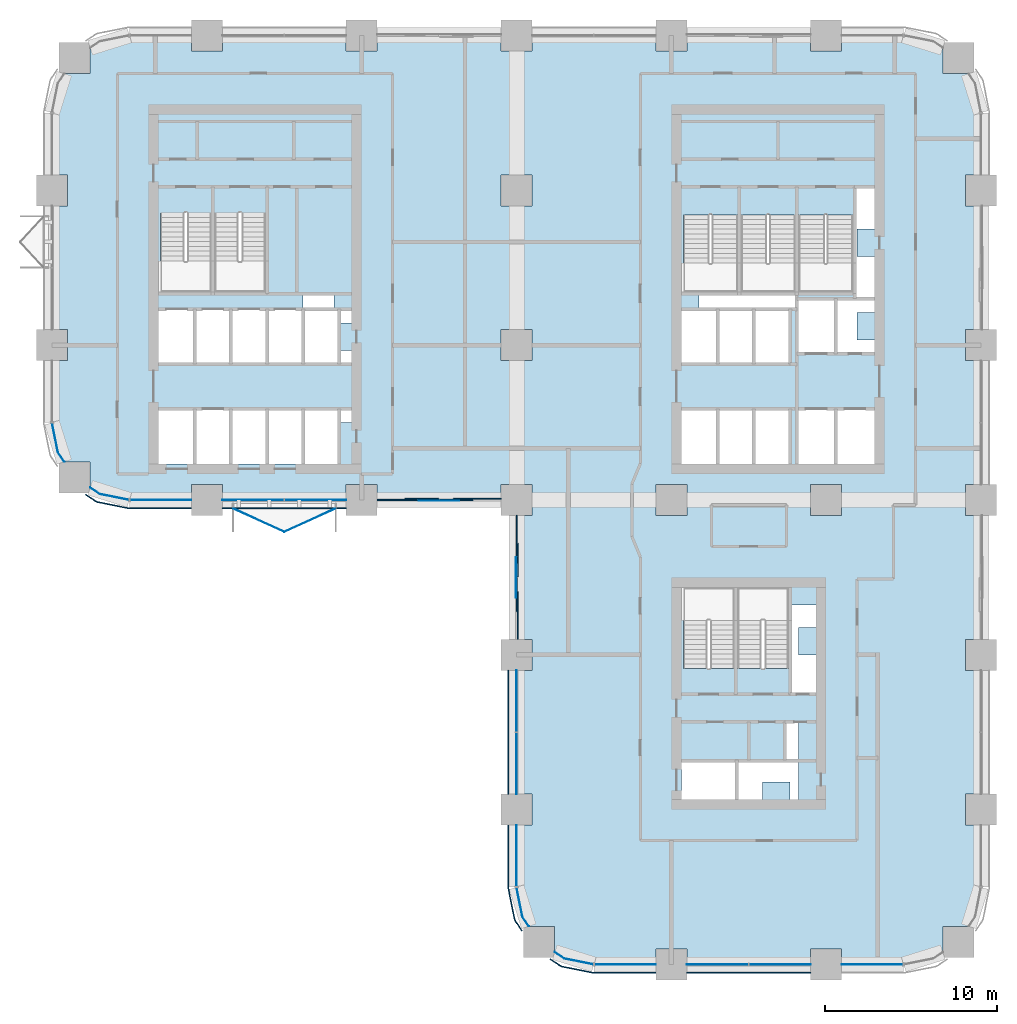
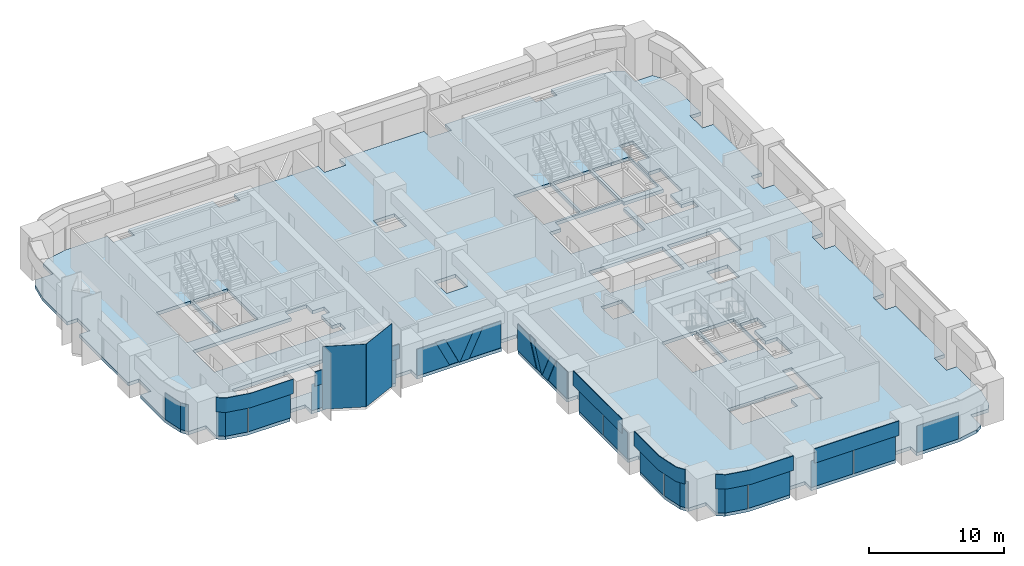
# One storey, part 9 of 18: 32 plates, 1 slab, 10 elements without a shape of their own.
"""IFC4 building model written with IfcOpenShell, lengths in metres."""

from ifc_helpers import new_model, si_unit, direction, frame, origin, origin_2d, place, context, subcontext, project, spatial, polyline, rectangle, outline, extrude, material, layer, layer_set, type_object, element, aggregate, save


model = new_model("IFC4")

# Units and contexts
model_context = context("Model", 3, precision=1e-05, world=origin(), true_north=direction((0.0, 1.0)))
body_context = subcontext(model_context, "Body", "Model", "MODEL_VIEW")
ifc_project = project(units=[si_unit("LENGTHUNIT", "METRE"), si_unit("AREAUNIT", "SQUARE_METRE"), si_unit("VOLUMEUNIT", "CUBIC_METRE"), si_unit("PLANEANGLEUNIT", "RADIAN"), si_unit("MASSUNIT", "GRAM", prefix="KILO")], contexts=[model_context])

# Site, building, storey
site_placement = place(None, origin())
site = spatial("IfcSite", under=ifc_project, at=site_placement, CompositionType="ELEMENT")
building_placement = place(site_placement, origin())
building = spatial("IfcBuilding", under=site, at=building_placement, Name="Tessera Arch", CompositionType="ELEMENT")
storey_placement = place(building_placement, frame((0.0, 0.0, 115.800048828125)))
storey = spatial("IfcBuildingStorey", under=building, at=storey_placement, Name="L27", CompositionType="ELEMENT", Elevation=115.800048828125)

# Curtain wall, plates
ifc_material_1 = material(Name="CW1 curtain wall")
curtain_wall_type_1 = type_object("IfcCurtainWallType", Name="CW1 curtain wall", PredefinedType="NOTDEFINED", material=ifc_material_1)
curtain_wall_1_placement = place(storey_placement, origin())
curtain_wall_1 = element("IfcCurtainWall", 1, at=curtain_wall_1_placement, inside=storey, type_object=curtain_wall_type_1, Name="CW1 curtain wall S27.0/1 L27", PredefinedType="NOTDEFINED")
ifc_material_2 = material(Name="Clear low-e glass", Category="glass")
ifc_material_3 = material(Name="Clear low-e glass", Category="glass")
ifc_layer_1 = layer(ifc_material_3, 0.028076171875)
ifc_layer_set_1 = layer_set([ifc_layer_1], Name="CW1 glass panel")
plate_type_1 = type_object("IfcPlateType", Name="CW1 glass panel", PredefinedType="CURTAIN_PANEL", material=ifc_layer_set_1)
plate_1_placement = place(storey_placement, frame((11.68505859375, 27.0, 0.0), z_axis=(0.0, 0.0, 1.0), x_axis=(1.0, 0.0, 0.0)))
plate_1 = element("IfcPlate", 2, at=plate_1_placement, type_object=plate_type_1, material=ifc_material_2, Name="CW1 glass panel S27.0/1 1.1.1", PredefinedType="CURTAIN_PANEL", context=body_context, shape_type="SweptSolid", body=[
    extrude(rectangle(XDim=3.570068359375, YDim=0.028076171875, at=origin_2d()), origin(), (0.0, 0.0, 1.0), 2.39990234375),
])
plate_2_placement = place(storey_placement, frame((15.31494140625, 27.0, 0.0), z_axis=(0.0, 0.0, 1.0), x_axis=(1.0, 0.0, 0.0)))
plate_2 = element("IfcPlate", 3, at=plate_2_placement, type_object=plate_type_1, material=ifc_material_2, Name="CW1 glass panel S27.0/1 1.2.1", PredefinedType="CURTAIN_PANEL", context=body_context, shape_type="SweptSolid", body=[
    extrude(rectangle(XDim=3.570068359375, YDim=0.028076171875, at=origin_2d()), origin(), (0.0, 0.0, 1.0), 2.39990234375),
])

curtain_wall_2_placement = place(storey_placement, origin())
curtain_wall_2 = element("IfcCurtainWall", 4, at=curtain_wall_2_placement, inside=storey, type_object=curtain_wall_type_1, Name="CW1 curtain wall W27.0/1 L27", PredefinedType="NOTDEFINED")
plate_3_placement = place(storey_placement, frame((27.0, 15.31494140625, 0.0), z_axis=(0.0, 0.0, 1.0), x_axis=(0.0, -1.0, 0.0)))
plate_3 = element("IfcPlate", 5, at=plate_3_placement, type_object=plate_type_1, material=ifc_material_2, Name="CW1 glass panel W27.0/1 1.1.1", PredefinedType="CURTAIN_PANEL", context=body_context, shape_type="SweptSolid", body=[
    extrude(rectangle(XDim=3.570068359375, YDim=0.028076171875, at=origin_2d()), origin(), (0.0, 0.0, 1.0), 2.39990234375),
])
plate_4_placement = place(storey_placement, frame((27.0, 11.68505859375, 0.0), z_axis=(0.0, 0.0, 1.0), x_axis=(0.0, -1.0, 0.0)))
plate_4 = element("IfcPlate", 6, at=plate_4_placement, type_object=plate_type_1, material=ifc_material_2, Name="CW1 glass panel W27.0/1 1.2.1", PredefinedType="CURTAIN_PANEL", context=body_context, shape_type="SweptSolid", body=[
    extrude(rectangle(XDim=3.570068359375, YDim=0.028076171875, at=origin_2d()), origin(), (0.0, 0.0, 1.0), 2.39990234375),
])

curtain_wall_3_placement = place(storey_placement, origin())
curtain_wall_3 = element("IfcCurtainWall", 7, at=curtain_wall_3_placement, inside=storey, type_object=curtain_wall_type_1, Name="CW1 curtain wall S0.27/1 L27", PredefinedType="NOTDEFINED")
plate_5_placement = place(storey_placement, frame((38.68505859375, 0.0, 0.0), z_axis=(0.0, 0.0, 1.0), x_axis=(1.0, 0.0, 0.0)))
plate_5 = element("IfcPlate", 8, at=plate_5_placement, type_object=plate_type_1, material=ifc_material_2, Name="CW1 glass panel S0.27/1 1.1.1", PredefinedType="CURTAIN_PANEL", context=body_context, shape_type="SweptSolid", body=[
    extrude(rectangle(XDim=3.570068359375, YDim=0.028076171875, at=origin_2d()), origin(), (0.0, 0.0, 1.0), 2.39990234375),
])
plate_6_placement = place(storey_placement, frame((42.31494140625, 0.0, 0.0), z_axis=(0.0, 0.0, 1.0), x_axis=(1.0, 0.0, 0.0)))
plate_6 = element("IfcPlate", 9, at=plate_6_placement, type_object=plate_type_1, material=ifc_material_2, Name="CW1 glass panel S0.27/1 1.2.1", PredefinedType="CURTAIN_PANEL", context=body_context, shape_type="SweptSolid", body=[
    extrude(rectangle(XDim=3.570068359375, YDim=0.028076171875, at=origin_2d()), origin(), (0.0, 0.0, 1.0), 2.39990234375),
])

# Plate
ifc_material_4 = material(Name="Pale anodised aluminium panel", Category="aluminium")
ifc_layer_2 = layer(ifc_material_4, 0.06005859375)
ifc_layer_set_2 = layer_set([ifc_layer_2], Name="CW1 spandrel panel")
plate_type_2 = type_object("IfcPlateType", Name="CW1 spandrel panel", PredefinedType="CURTAIN_PANEL", material=ifc_layer_set_2)
plate_7_placement = place(storey_placement, frame((13.5, 26.52001953125, 2.5), z_axis=(0.0, 0.0, 1.0), x_axis=(1.0, 0.0, 0.0)))
plate_7 = element("IfcPlate", 10, at=plate_7_placement, type_object=plate_type_2, Name="CW1 spandrel panel S27.0/1", PredefinedType="CURTAIN_PANEL", context=body_context, shape_type="SweptSolid", body=[
    extrude(rectangle(XDim=7.199951171875, YDim=0.06005859375, at=origin_2d()), origin(), (0.0, 0.0, 1.0), 1.300048828125),
])

aggregate(curtain_wall_1, [plate_1, plate_2, plate_7])

plate_8_placement = place(storey_placement, frame((26.52001953125, 13.5, 2.5), z_axis=(0.0, 0.0, 1.0), x_axis=(0.0, -1.0, 0.0)))
plate_8 = element("IfcPlate", 11, at=plate_8_placement, type_object=plate_type_2, Name="CW1 spandrel panel W27.0/1", PredefinedType="CURTAIN_PANEL", context=body_context, shape_type="SweptSolid", body=[
    extrude(rectangle(XDim=7.199951171875, YDim=0.06005859375, at=origin_2d()), origin(), (0.0, 0.0, 1.0), 1.300048828125),
])

aggregate(curtain_wall_2, [plate_3, plate_4, plate_8])

plate_9_placement = place(storey_placement, frame((40.5, -0.47998046875, 2.5), z_axis=(0.0, 0.0, 1.0), x_axis=(1.0, 0.0, 0.0)))
plate_9 = element("IfcPlate", 12, at=plate_9_placement, type_object=plate_type_2, Name="CW1 spandrel panel S0.27/1", PredefinedType="CURTAIN_PANEL", context=body_context, shape_type="SweptSolid", body=[
    extrude(rectangle(XDim=7.199951171875, YDim=0.06005859375, at=origin_2d()), origin(), (0.0, 0.0, 1.0), 1.300048828125),
])

aggregate(curtain_wall_3, [plate_5, plate_6, plate_9])

# Curtain wall, plate
ifc_material_5 = material(Name="CW2 curtain wall")
curtain_wall_type_2 = type_object("IfcCurtainWallType", Name="CW2 curtain wall", PredefinedType="NOTDEFINED", material=ifc_material_5)
curtain_wall_4_placement = place(storey_placement, origin())
curtain_wall_4 = element("IfcCurtainWall", 13, at=curtain_wall_4_placement, inside=storey, type_object=curtain_wall_type_2, Name="CW2 curtain wall W0.27/2 L27", PredefinedType="NOTDEFINED")
ifc_material_6 = material(Name="Clear low-e glass", Category="glass")
ifc_layer_3 = layer(ifc_material_6, 0.028076171875)
ifc_layer_set_3 = layer_set([ifc_layer_3], Name="CW2 glass panel")
plate_type_3 = type_object("IfcPlateType", Name="CW2 glass panel", PredefinedType="CURTAIN_PANEL", material=ifc_layer_set_3)
plate_10_placement = place(storey_placement, origin())
plate_10 = element("IfcPlate", 14, at=plate_10_placement, type_object=plate_type_3, material=ifc_material_2, Name="CW2 curved glass panel W0.27/2 2.1", PredefinedType="CURTAIN_PANEL", context=body_context, shape_type="SweptSolid", body=[
    extrude(outline(polyline([(0.355712890625, 29.783447265625), (0.021484375, 31.46337890625), (-0.005859375, 31.4580078125), (0.329345703125, 29.7724609375), (0.705078125, 29.210205078125), (0.728271484375, 29.225830078125), (0.355712890625, 29.783447265625)])), origin(), (0.0, 0.0, 1.0), 2.39990234375),
])
aggregate(curtain_wall_4, [plate_10])

# Curtain wall, plates
curtain_wall_5_placement = place(storey_placement, origin())
curtain_wall_5 = element("IfcCurtainWall", 15, at=curtain_wall_5_placement, inside=storey, type_object=curtain_wall_type_2, Name="CW2 curtain wall S27.0/0 L27", PredefinedType="NOTDEFINED")
plate_11_placement = place(storey_placement, frame((6.320068359375, 27.0, 0.0), z_axis=(0.0, 0.0, 1.0), x_axis=(1.0, 0.0, 0.0)))
plate_11 = element("IfcPlate", 16, at=plate_11_placement, type_object=plate_type_3, material=ifc_material_2, Name="CW2 glass panel S27.0/0 1.1", PredefinedType="CURTAIN_PANEL", context=body_context, shape_type="SweptSolid", body=[
    extrude(rectangle(XDim=3.56005859375, YDim=0.028076171875, at=origin_2d()), origin(), (0.0, 0.0, 1.0), 2.39990234375),
])
plate_12_placement = place(storey_placement, origin())
plate_12 = element("IfcPlate", 17, at=plate_12_placement, type_object=plate_type_3, material=ifc_material_2, Name="CW2 curved glass panel S27.0/0 2.1", PredefinedType="CURTAIN_PANEL", context=body_context, shape_type="SweptSolid", body=[
    extrude(outline(polyline([(2.783447265625, 27.355712890625), (2.225830078125, 27.728271484375), (2.210205078125, 27.705078125), (2.7724609375, 27.329345703125), (4.4580078125, 26.994140625), (4.46337890625, 27.021484375), (2.783447265625, 27.355712890625)])), origin(), (0.0, 0.0, 1.0), 2.39990234375),
])

curtain_wall_6_placement = place(storey_placement, origin())
curtain_wall_6 = element("IfcCurtainWall", 18, at=curtain_wall_6_placement, inside=storey, type_object=curtain_wall_type_2, Name="CW2 curtain wall W27.0/2 L27", PredefinedType="NOTDEFINED")
plate_13_placement = place(storey_placement, frame((27.0, 6.320068359375, 0.0), z_axis=(0.0, 0.0, 1.0), x_axis=(0.0, -1.0, 0.0)))
plate_13 = element("IfcPlate", 19, at=plate_13_placement, type_object=plate_type_3, material=ifc_material_2, Name="CW2 glass panel W27.0/2 1.1", PredefinedType="CURTAIN_PANEL", context=body_context, shape_type="SweptSolid", body=[
    extrude(rectangle(XDim=3.56005859375, YDim=0.028076171875, at=origin_2d()), origin(), (0.0, 0.0, 1.0), 2.39990234375),
])
plate_14_placement = place(storey_placement, origin())
plate_14 = element("IfcPlate", 20, at=plate_14_placement, type_object=plate_type_3, material=ifc_material_2, Name="CW2 curved glass panel W27.0/2 2.1", PredefinedType="CURTAIN_PANEL", context=body_context, shape_type="SweptSolid", body=[
    extrude(outline(polyline([(27.355712890625, 2.783447265625), (27.021484375, 4.46337890625), (26.994140625, 4.4580078125), (27.329345703125, 2.7724609375), (27.705078125, 2.210205078125), (27.728271484375, 2.225830078125), (27.355712890625, 2.783447265625)])), origin(), (0.0, 0.0, 1.0), 2.39990234375),
])

curtain_wall_7_placement = place(storey_placement, origin())
curtain_wall_7 = element("IfcCurtainWall", 21, at=curtain_wall_7_placement, inside=storey, type_object=curtain_wall_type_2, Name="CW2 curtain wall S0.27/0 L27", PredefinedType="NOTDEFINED")
plate_15_placement = place(storey_placement, frame((33.320068359375, 0.0, 0.0), z_axis=(0.0, 0.0, 1.0), x_axis=(1.0, 0.0, 0.0)))
plate_15 = element("IfcPlate", 22, at=plate_15_placement, type_object=plate_type_3, material=ifc_material_2, Name="CW2 glass panel S0.27/0 1.1", PredefinedType="CURTAIN_PANEL", context=body_context, shape_type="SweptSolid", body=[
    extrude(rectangle(XDim=3.56005859375, YDim=0.028076171875, at=origin_2d()), origin(), (0.0, 0.0, 1.0), 2.39990234375),
])
plate_16_placement = place(storey_placement, origin())
plate_16 = element("IfcPlate", 23, at=plate_16_placement, type_object=plate_type_3, material=ifc_material_2, Name="CW2 curved glass panel S0.27/0 2.1", PredefinedType="CURTAIN_PANEL", context=body_context, shape_type="SweptSolid", body=[
    extrude(outline(polyline([(29.783447265625, 0.355712890625), (29.225830078125, 0.728271484375), (29.210205078125, 0.705078125), (29.7724609375, 0.329345703125), (31.4580078125, -0.005859375), (31.46337890625, 0.021484375), (29.783447265625, 0.355712890625)])), origin(), (0.0, 0.0, 1.0), 2.39990234375),
])

# Curtain wall, plate
curtain_wall_8_placement = place(storey_placement, origin())
curtain_wall_8 = element("IfcCurtainWall", 24, at=curtain_wall_8_placement, inside=storey, type_object=curtain_wall_type_2, Name="CW2 curtain wall S0.27/2 L27", PredefinedType="NOTDEFINED")
plate_17_placement = place(storey_placement, frame((47.679931640625, 0.0, 0.0), z_axis=(0.0, 0.0, 1.0), x_axis=(1.0, 0.0, 0.0)))
plate_17 = element("IfcPlate", 25, at=plate_17_placement, type_object=plate_type_3, material=ifc_material_2, Name="CW2 glass panel S0.27/2 1.1", PredefinedType="CURTAIN_PANEL", context=body_context, shape_type="SweptSolid", body=[
    extrude(rectangle(XDim=3.56005859375, YDim=0.028076171875, at=origin_2d()), origin(), (0.0, 0.0, 1.0), 2.39990234375),
])
aggregate(curtain_wall_8, [plate_17])

# Plate
ifc_material_7 = material(Name="Pale anodised aluminium panel", Category="aluminium")
ifc_layer_4 = layer(ifc_material_7, 0.06005859375)
ifc_layer_set_4 = layer_set([ifc_layer_4], Name="CW2 spandrel panel")
plate_type_4 = type_object("IfcPlateType", Name="CW2 spandrel panel", PredefinedType="CURTAIN_PANEL", material=ifc_layer_set_4)
plate_18_placement = place(storey_placement, frame((0.0, 0.0, 2.5)))
plate_18 = element("IfcPlate", 26, at=plate_18_placement, type_object=plate_type_4, Name="CW2 spandrel panel S27.0/0", PredefinedType="CURTAIN_PANEL", context=body_context, shape_type="SweptSolid", body=[
    extrude(outline(polyline([(2.52734375, 26.96875), (1.968017578125, 27.342529296875), (1.9345703125, 27.292724609375), (2.4951171875, 26.91796875), (2.537353515625, 26.892822265625), (2.582763671875, 26.871337890625), (2.6298828125, 26.8544921875), (2.677734375, 26.842529296875), (4.401123046875, 26.499755859375), (4.449951171875, 26.492431640625), (4.499267578125, 26.489990234375), (8.10009765625, 26.489990234375), (8.10009765625, 26.550048828125), (4.500732421875, 26.550048828125), (4.455810546875, 26.55224609375), (4.411376953125, 26.558837890625), (2.69091796875, 26.90087890625), (2.647216796875, 26.911865234375), (2.605712890625, 26.9267578125), (2.565673828125, 26.94580078125), (2.52734375, 26.96875)])), origin(), (0.0, 0.0, 1.0), 1.300048828125),
])

aggregate(curtain_wall_5, [plate_11, plate_12, plate_18])

plate_19_placement = place(storey_placement, frame((0.0, 0.0, 2.5)))
plate_19 = element("IfcPlate", 27, at=plate_19_placement, type_object=plate_type_4, Name="CW2 spandrel panel W27.0/2", PredefinedType="CURTAIN_PANEL", context=body_context, shape_type="SweptSolid", body=[
    extrude(outline(polyline([(26.550048828125, 4.500732421875), (26.550048828125, 8.10009765625), (26.489990234375, 8.10009765625), (26.489990234375, 4.499267578125), (26.492431640625, 4.449951171875), (26.499755859375, 4.401123046875), (26.842529296875, 2.677734375), (26.8544921875, 2.6298828125), (26.871337890625, 2.582763671875), (26.892822265625, 2.537353515625), (26.91796875, 2.4951171875), (27.292724609375, 1.9345703125), (27.342529296875, 1.968017578125), (26.96875, 2.52734375), (26.94580078125, 2.565673828125), (26.9267578125, 2.605712890625), (26.911865234375, 2.647216796875), (26.90087890625, 2.69091796875), (26.558837890625, 4.411376953125), (26.55224609375, 4.455810546875), (26.550048828125, 4.500732421875)])), origin(), (0.0, 0.0, 1.0), 1.300048828125),
])

aggregate(curtain_wall_6, [plate_13, plate_14, plate_19])

plate_20_placement = place(storey_placement, frame((0.0, 0.0, 2.5)))
plate_20 = element("IfcPlate", 28, at=plate_20_placement, type_object=plate_type_4, Name="CW2 spandrel panel S0.27/0", PredefinedType="CURTAIN_PANEL", context=body_context, shape_type="SweptSolid", body=[
    extrude(outline(polyline([(29.52734375, -0.03125), (28.968017578125, 0.342529296875), (28.9345703125, 0.292724609375), (29.4951171875, -0.08203125), (29.537353515625, -0.107177734375), (29.582763671875, -0.128662109375), (29.6298828125, -0.1455078125), (29.677734375, -0.157470703125), (31.401123046875, -0.500244140625), (31.449951171875, -0.507568359375), (31.499267578125, -0.510009765625), (35.10009765625, -0.510009765625), (35.10009765625, -0.449951171875), (31.500732421875, -0.449951171875), (31.455810546875, -0.44775390625), (31.411376953125, -0.441162109375), (29.69091796875, -0.09912109375), (29.647216796875, -0.088134765625), (29.605712890625, -0.0732421875), (29.565673828125, -0.05419921875), (29.52734375, -0.03125)])), origin(), (0.0, 0.0, 1.0), 1.300048828125),
])

aggregate(curtain_wall_7, [plate_15, plate_16, plate_20])

# Curtain wall, plates
ifc_material_8 = material(Name="CW3 curtain wall")
curtain_wall_type_3 = type_object("IfcCurtainWallType", Name="CW3 curtain wall", PredefinedType="NOTDEFINED", material=ifc_material_8)
curtain_wall_9_placement = place(storey_placement, origin())
curtain_wall_9 = element("IfcCurtainWall", 29, at=curtain_wall_9_placement, inside=storey, type_object=curtain_wall_type_3, Name="CW3 curtain wall S27.0/2 L27", PredefinedType="NOTDEFINED")
ifc_material_9 = material(Name="Pale anodised aluminium panel", Category="aluminium")
ifc_layer_5 = layer(ifc_material_9, 0.06005859375)
ifc_layer_set_5 = layer_set([ifc_layer_5], Name="CW3 diagonal panel")
plate_type_5 = type_object("IfcPlateType", Name="CW3 diagonal panel", PredefinedType="CURTAIN_PANEL", material=ifc_layer_set_5)
plate_21_placement = place(storey_placement, frame((24.484130859375, 26.969970703125, 2.39990234375), z_axis=(0.0, -1.0, 0.0), x_axis=(-1.0, 0.0, 0.0)))
plate_21 = element("IfcPlate", 30, at=plate_21_placement, type_object=plate_type_5, Name="CW3 diagonal panel S27.0/2 1", PredefinedType="CURTAIN_PANEL", context=body_context, shape_type="SweptSolid", body=[
    extrude(outline(polyline([(0.0, 0.0), (0.80029296875, 0.0), (1.9521484375, 2.39990234375), (1.152099609375, 2.39990234375), (0.0, 0.0)])), origin(), (0.0, 0.0, -1.0), 0.06005859375),
])
plate_22_placement = place(storey_placement, frame((21.316162109375, 27.030029296875, 2.39990234375), z_axis=(0.0, -1.0, 0.0), x_axis=(-1.0, 0.0, 0.0)))
plate_22 = element("IfcPlate", 31, at=plate_22_placement, type_object=plate_type_5, Name="CW3 diagonal panel S27.0/2 2", PredefinedType="CURTAIN_PANEL", context=body_context, shape_type="SweptSolid", body=[
    extrude(outline(polyline([(0.0, 0.0), (0.80029296875, 0.0), (-0.351806640625, 2.39990234375), (-1.15185546875, 2.39990234375), (0.0, 0.0)])), origin(), (0.0, 0.0, -1.0), 0.06005859375),
])
plate_23_placement = place(storey_placement, frame((18.89990234375, 26.969970703125, 0.0), z_axis=(0.0, -1.0, 0.0), x_axis=(1.0, 0.0, 0.0)))
plate_23 = element("IfcPlate", 32, at=plate_23_placement, type_object=plate_type_5, Name="CW3 diagonal panel S27.0/2 3", PredefinedType="CURTAIN_PANEL", context=body_context, shape_type="SweptSolid", body=[
    extrude(outline(polyline([(0.0, 0.0), (2.76806640625, 0.0), (1.615966796875, 2.39990234375), (0.0, 2.39990234375), (0.0, 0.0)])), origin(), (0.0, 0.0, -1.0), 0.06005859375),
])
plate_24_placement = place(storey_placement, frame((26.10009765625, 27.030029296875, 2.39990234375), z_axis=(0.0, -1.0, 0.0), x_axis=(-1.0, 0.0, 0.0)))
plate_24 = element("IfcPlate", 33, at=plate_24_placement, type_object=plate_type_5, Name="CW3 diagonal panel S27.0/2 4", PredefinedType="CURTAIN_PANEL", context=body_context, shape_type="SweptSolid", body=[
    extrude(outline(polyline([(0.0, 0.0), (1.615966796875, 0.0), (2.76806640625, 2.39990234375), (0.0, 2.39990234375), (0.0, 0.0)])), origin(), (0.0, 0.0, -1.0), 0.06005859375),
])

curtain_wall_10_placement = place(storey_placement, origin())
curtain_wall_10 = element("IfcCurtainWall", 34, at=curtain_wall_10_placement, inside=storey, type_object=curtain_wall_type_3, Name="CW3 curtain wall W27.0/0 L27", PredefinedType="NOTDEFINED")
plate_25_placement = place(storey_placement, frame((26.969970703125, 20.515869140625, 2.39990234375), z_axis=(-1.0, 0.0, 0.0), x_axis=(0.0, 1.0, 0.0)))
plate_25 = element("IfcPlate", 35, at=plate_25_placement, type_object=plate_type_5, Name="CW3 diagonal panel W27.0/0 1", PredefinedType="CURTAIN_PANEL", context=body_context, shape_type="SweptSolid", body=[
    extrude(outline(polyline([(0.0, 0.0), (0.80029296875, 0.0), (1.9521484375, 2.39990234375), (1.152099609375, 2.39990234375), (0.0, 0.0)])), origin(), (0.0, 0.0, -1.0), 0.06005859375),
])
plate_26_placement = place(storey_placement, frame((27.030029296875, 23.683837890625, 2.39990234375), z_axis=(-1.0, 0.0, 0.0), x_axis=(0.0, 1.0, 0.0)))
plate_26 = element("IfcPlate", 36, at=plate_26_placement, type_object=plate_type_5, Name="CW3 diagonal panel W27.0/0 2", PredefinedType="CURTAIN_PANEL", context=body_context, shape_type="SweptSolid", body=[
    extrude(outline(polyline([(0.0, 0.0), (0.80029296875, 0.0), (-0.351806640625, 2.39990234375), (-1.15185546875, 2.39990234375), (0.0, 0.0)])), origin(), (0.0, 0.0, -1.0), 0.06005859375),
])
plate_27_placement = place(storey_placement, frame((26.969970703125, 26.10009765625, 0.0), z_axis=(-1.0, 0.0, 0.0), x_axis=(0.0, -1.0, 0.0)))
plate_27 = element("IfcPlate", 37, at=plate_27_placement, type_object=plate_type_5, Name="CW3 diagonal panel W27.0/0 3", PredefinedType="CURTAIN_PANEL", context=body_context, shape_type="SweptSolid", body=[
    extrude(outline(polyline([(0.0, 0.0), (2.76806640625, 0.0), (1.615966796875, 2.39990234375), (0.0, 2.39990234375), (0.0, 0.0)])), origin(), (0.0, 0.0, -1.0), 0.06005859375),
])
plate_28_placement = place(storey_placement, frame((27.030029296875, 18.89990234375, 2.39990234375), z_axis=(-1.0, 0.0, 0.0), x_axis=(0.0, 1.0, 0.0)))
plate_28 = element("IfcPlate", 38, at=plate_28_placement, type_object=plate_type_5, Name="CW3 diagonal panel W27.0/0 4", PredefinedType="CURTAIN_PANEL", context=body_context, shape_type="SweptSolid", body=[
    extrude(outline(polyline([(0.0, 0.0), (1.615966796875, 0.0), (2.76806640625, 2.39990234375), (0.0, 2.39990234375), (0.0, 0.0)])), origin(), (0.0, 0.0, -1.0), 0.06005859375),
])

# Plate
ifc_material_10 = material(Name="Clear low-e glass", Category="glass")
ifc_layer_6 = layer(ifc_material_10, 0.028076171875)
ifc_layer_set_6 = layer_set([ifc_layer_6], Name="CW3 glass panel")
plate_type_6 = type_object("IfcPlateType", Name="CW3 glass panel", PredefinedType="CURTAIN_PANEL", material=ifc_layer_set_6)
plate_29_placement = place(storey_placement, frame((23.683837890625, 26.94189453125, 2.39990234375), z_axis=(0.0, -1.0, 0.0), x_axis=(-1.0, 0.0, 0.0)))
plate_29 = element("IfcPlate", 39, at=plate_29_placement, type_object=plate_type_6, material=ifc_material_2, Name="CW3 triangulated glass panel S27.0/2 1", PredefinedType="CURTAIN_PANEL", context=body_context, shape_type="SweptSolid", body=[
    extrude(outline(polyline([(0.0, 0.0), (2.36767578125, 0.0), (1.2158203125, 2.39990234375), (1.15185546875, 2.39990234375), (0.0, 0.0)])), origin(), (0.0, 0.0, -1.0), 0.028076171875),
])

aggregate(curtain_wall_9, [plate_29, plate_21, plate_22, plate_23, plate_24])

plate_30_placement = place(storey_placement, frame((26.94189453125, 21.316162109375, 2.39990234375), z_axis=(-1.0, 0.0, 0.0), x_axis=(0.0, 1.0, 0.0)))
plate_30 = element("IfcPlate", 40, at=plate_30_placement, type_object=plate_type_6, material=ifc_material_2, Name="CW3 triangulated glass panel W27.0/0 1", PredefinedType="CURTAIN_PANEL", context=body_context, shape_type="SweptSolid", body=[
    extrude(outline(polyline([(0.0, 0.0), (2.36767578125, 0.0), (1.2158203125, 2.39990234375), (1.15185546875, 2.39990234375), (0.0, 0.0)])), origin(), (0.0, 0.0, -1.0), 0.028076171875),
])

aggregate(curtain_wall_10, [plate_30, plate_25, plate_26, plate_27, plate_28])

# Slab
ifc_material_11 = material(Name="Concrete C40/50", Category="concrete")
ifc_layer_7 = layer(ifc_material_11, 0.300048828125)
ifc_layer_set_7 = layer_set([ifc_layer_7], Name="Floor slab 300 Concrete C40/50")
slab_type = type_object("IfcSlabType", Name="Floor slab 300 Concrete C40/50", PredefinedType="FLOOR", material=ifc_layer_set_7)
slab_placement = place(storey_placement, frame((0.0, 0.0, -0.300048828125)))
element("IfcSlab", 41, at=slab_placement, inside=storey, type_object=slab_type, Name="Floor slab L27 1", PredefinedType="FLOOR", context=body_context, shape_type="SweptSolid", body=[
    extrude(outline(polyline([(49.5, 54.0), (51.22216796875, 53.657470703125), (51.781982421875, 53.283447265625), (51.781982421875, 51.781982421875), (53.283447265625, 51.781982421875), (53.657470703125, 51.22216796875), (54.0, 49.5), (54.0, 45.89990234375), (53.10009765625, 45.89990234375), (53.10009765625, 44.10009765625), (54.0, 44.10009765625), (54.0, 36.89990234375), (53.10009765625, 36.89990234375), (53.10009765625, 35.10009765625), (54.0, 35.10009765625), (54.0, 27.89990234375), (53.10009765625, 27.89990234375), (53.10009765625, 26.10009765625), (54.0, 26.10009765625), (54.0, 18.89990234375), (53.10009765625, 18.89990234375), (53.10009765625, 17.10009765625), (54.0, 17.10009765625), (54.0, 9.89990234375), (53.10009765625, 9.89990234375), (53.10009765625, 8.10009765625), (54.0, 8.10009765625), (54.0, 4.5), (53.657470703125, 2.77783203125), (53.283447265625, 2.218017578125), (51.781982421875, 2.218017578125), (51.781982421875, 0.716552734375), (51.22216796875, 0.342529296875), (49.5, 0.0), (45.89990234375, 0.0), (45.89990234375, 0.89990234375), (44.10009765625, 0.89990234375), (44.10009765625, 0.0), (36.89990234375, 0.0), (36.89990234375, 0.89990234375), (35.10009765625, 0.89990234375), (35.10009765625, 0.0), (31.5, 0.0), (29.77783203125, 0.342529296875), (29.218017578125, 0.716552734375), (29.218017578125, 2.218017578125), (27.716552734375, 2.218017578125), (27.342529296875, 2.77783203125), (27.0, 4.5), (27.0, 8.10009765625), (27.89990234375, 8.10009765625), (27.89990234375, 9.89990234375), (27.0, 9.89990234375), (27.0, 17.10009765625), (27.89990234375, 17.10009765625), (27.89990234375, 18.89990234375), (27.0, 18.89990234375), (27.0, 26.10009765625), (27.89990234375, 26.10009765625), (27.89990234375, 27.89990234375), (26.10009765625, 27.89990234375), (26.10009765625, 27.0), (18.89990234375, 27.0), (18.89990234375, 27.89990234375), (17.10009765625, 27.89990234375), (17.10009765625, 27.0), (9.89990234375, 27.0), (9.89990234375, 27.89990234375), (8.10009765625, 27.89990234375), (8.10009765625, 27.0), (4.5, 27.0), (2.77783203125, 27.342529296875), (2.218017578125, 27.716552734375), (2.218017578125, 29.218017578125), (0.716552734375, 29.218017578125), (0.342529296875, 29.77783203125), (0.0, 31.5), (0.0, 35.10009765625), (0.89990234375, 35.10009765625), (0.89990234375, 36.89990234375), (0.0, 36.89990234375), (0.0, 44.10009765625), (0.89990234375, 44.10009765625), (0.89990234375, 45.89990234375), (0.0, 45.89990234375), (0.0, 49.5), (0.342529296875, 51.22216796875), (0.716552734375, 51.781982421875), (2.218017578125, 51.781982421875), (2.218017578125, 53.283447265625), (2.77783203125, 53.657470703125), (4.5, 54.0), (8.10009765625, 54.0), (8.10009765625, 53.10009765625), (9.89990234375, 53.10009765625), (9.89990234375, 54.0), (17.10009765625, 54.0), (17.10009765625, 53.10009765625), (18.89990234375, 53.10009765625), (18.89990234375, 54.0), (26.10009765625, 54.0), (26.10009765625, 53.10009765625), (27.89990234375, 53.10009765625), (27.89990234375, 54.0), (35.10009765625, 54.0), (35.10009765625, 53.10009765625), (36.89990234375, 53.10009765625), (36.89990234375, 54.0), (44.10009765625, 54.0), (44.10009765625, 53.10009765625), (45.89990234375, 53.10009765625), (45.89990234375, 54.0), (49.5, 54.0)]), holes=[polyline([(6.199951171875, 32.300048828125), (6.199951171875, 29.10009765625), (8.300048828125, 29.10009765625), (10.39990234375, 29.10009765625), (12.5, 29.10009765625), (14.60009765625, 29.10009765625), (16.699951171875, 29.10009765625), (16.699951171875, 31.5), (17.39990234375, 31.5), (17.39990234375, 32.300048828125), (16.699951171875, 32.300048828125), (14.60009765625, 32.300048828125), (12.5, 32.300048828125), (10.39990234375, 32.300048828125), (8.300048828125, 32.300048828125), (6.199951171875, 32.300048828125)]), polyline([(14.60009765625, 34.89990234375), (16.699951171875, 34.89990234375), (17.39990234375, 34.89990234375), (17.39990234375, 35.699951171875), (16.699951171875, 35.699951171875), (16.699951171875, 37.300048828125), (17.39990234375, 37.300048828125), (17.39990234375, 38.10009765625), (16.699951171875, 38.10009765625), (16.39990234375, 38.10009765625), (16.39990234375, 39.0), (14.60009765625, 39.0), (14.60009765625, 38.10009765625), (12.5, 38.10009765625), (10.39990234375, 38.10009765625), (8.300048828125, 38.10009765625), (6.199951171875, 38.10009765625), (6.199951171875, 34.89990234375), (8.300048828125, 34.89990234375), (10.39990234375, 34.89990234375), (12.5, 34.89990234375), (14.60009765625, 34.89990234375)]), polyline([(11.0, 43.699951171875), (10.85009765625, 43.699951171875), (10.85009765625, 43.68994140625), (9.449951171875, 43.68994140625), (9.449951171875, 39.199951171875), (12.39990234375, 39.199951171875), (12.39990234375, 43.68994140625), (11.0, 43.68994140625), (11.0, 43.699951171875)]), polyline([(7.85009765625, 43.699951171875), (7.699951171875, 43.699951171875), (7.699951171875, 43.68994140625), (6.300048828125, 43.68994140625), (6.300048828125, 39.199951171875), (9.25, 39.199951171875), (9.25, 43.68994140625), (7.85009765625, 43.68994140625), (7.85009765625, 43.699951171875)]), polyline([(43.39990234375, 9.60009765625), (43.39990234375, 11.89990234375), (43.39990234375, 14.10009765625), (42.60009765625, 14.10009765625), (42.60009765625, 11.89990234375), (39.800048828125, 11.89990234375), (39.800048828125, 11.85009765625), (36.60009765625, 11.85009765625), (36.60009765625, 9.60009765625), (39.800048828125, 9.60009765625), (41.300048828125, 9.60009765625), (41.300048828125, 10.60009765625), (42.89990234375, 10.60009765625), (42.89990234375, 9.60009765625), (43.39990234375, 9.60009765625)]), polyline([(41.25, 17.199951171875), (41.39990234375, 17.199951171875), (41.39990234375, 17.2099609375), (42.800048828125, 17.2099609375), (42.800048828125, 21.699951171875), (39.85009765625, 21.699951171875), (39.85009765625, 17.2099609375), (41.25, 17.2099609375), (41.25, 17.199951171875)]), polyline([(38.10009765625, 17.199951171875), (38.25, 17.199951171875), (38.25, 17.2099609375), (39.64990234375, 17.2099609375), (39.64990234375, 21.699951171875), (36.699951171875, 21.699951171875), (36.699951171875, 17.2099609375), (38.10009765625, 17.2099609375), (38.10009765625, 17.199951171875)]), polyline([(35.10009765625, 26.10009765625), (36.89990234375, 26.10009765625), (36.89990234375, 27.89990234375), (35.10009765625, 27.89990234375), (35.10009765625, 26.10009765625)]), polyline([(38.699951171875, 29.10009765625), (40.800048828125, 29.10009765625), (42.89990234375, 29.10009765625), (42.89990234375, 32.300048828125), (40.800048828125, 32.300048828125), (38.699951171875, 32.300048828125), (36.60009765625, 32.300048828125), (36.60009765625, 29.10009765625), (38.699951171875, 29.10009765625)]), polyline([(26.10009765625, 35.10009765625), (27.89990234375, 35.10009765625), (27.89990234375, 36.89990234375), (26.10009765625, 36.89990234375), (26.10009765625, 35.10009765625)]), polyline([(43.300048828125, 39.0), (37.60009765625, 39.0), (37.60009765625, 38.10009765625), (36.60009765625, 38.10009765625), (36.60009765625, 34.89990234375), (38.699951171875, 34.89990234375), (40.800048828125, 34.89990234375), (42.89990234375, 34.89990234375), (42.89990234375, 38.10009765625), (43.300048828125, 38.10009765625), (43.300048828125, 35.5), (45.550048828125, 35.5), (47.800048828125, 35.5), (47.800048828125, 36.300048828125), (46.800048828125, 36.300048828125), (46.800048828125, 37.89990234375), (47.800048828125, 37.89990234375), (47.800048828125, 38.699951171875), (47.800048828125, 41.14990234375), (46.800048828125, 41.14990234375), (46.800048828125, 42.75), (47.800048828125, 42.75), (47.800048828125, 45.199951171875), (46.64990234375, 45.199951171875), (46.64990234375, 38.699951171875), (45.550048828125, 38.699951171875), (43.300048828125, 38.699951171875), (43.300048828125, 39.0)]), polyline([(38.330078125, 43.580078125), (38.219970703125, 43.580078125), (38.219970703125, 43.570068359375), (36.699951171875, 43.570068359375), (36.699951171875, 39.199951171875), (39.85009765625, 39.199951171875), (39.85009765625, 43.570068359375), (38.330078125, 43.570068359375), (38.330078125, 43.580078125)]), polyline([(26.10009765625, 44.10009765625), (27.89990234375, 44.10009765625), (27.89990234375, 45.89990234375), (26.10009765625, 45.89990234375), (26.10009765625, 44.10009765625)]), polyline([(42.89990234375, 15.699951171875), (44.39990234375, 15.699951171875), (44.39990234375, 18.0), (43.39990234375, 18.0), (43.39990234375, 19.60009765625), (44.39990234375, 19.60009765625), (44.39990234375, 20.89990234375), (42.89990234375, 20.89990234375), (42.89990234375, 15.699951171875)]), polyline([(44.10009765625, 26.10009765625), (45.89990234375, 26.10009765625), (45.89990234375, 27.89990234375), (44.10009765625, 27.89990234375), (44.10009765625, 26.10009765625)]), polyline([(45.550048828125, 29.10009765625), (47.800048828125, 29.10009765625), (47.800048828125, 32.300048828125), (45.550048828125, 32.300048828125), (43.300048828125, 32.300048828125), (43.300048828125, 29.10009765625), (45.550048828125, 29.10009765625)]), polyline([(45.030029296875, 43.580078125), (44.919921875, 43.580078125), (44.919921875, 43.570068359375), (43.39990234375, 43.570068359375), (43.39990234375, 39.199951171875), (46.550048828125, 39.199951171875), (46.550048828125, 43.570068359375), (45.030029296875, 43.570068359375), (45.030029296875, 43.580078125)]), polyline([(41.679931640625, 43.580078125), (41.570068359375, 43.580078125), (41.570068359375, 43.570068359375), (40.050048828125, 43.570068359375), (40.050048828125, 39.199951171875), (43.199951171875, 39.199951171875), (43.199951171875, 43.570068359375), (41.679931640625, 43.570068359375), (41.679931640625, 43.580078125)])]), origin(), (0.0, 0.0, 1.0), 0.300048828125),
])

# Plates
ifc_material_12 = material(Name="Clear low-e glass", Category="glass")
ifc_layer_8 = layer(ifc_material_12, 0.028076171875)
ifc_layer_set_8 = layer_set([ifc_layer_8], Name="Window box glass facet")
plate_type_7 = type_object("IfcPlateType", Name="Window box glass facet", PredefinedType="SHEET", material=ifc_layer_set_8)
for number, where, z_axis, x_axis, name in (
    (42, (12.02490234375, 25.820068359375, 0.22021484375), (0.0, 0.0, 1.0), (0.910472144558, -0.413570397858, 0.0), "Window box S27.0/1.0 2x2 glass"),
    (43, (14.97509765625, 25.820068359375, 0.22021484375), (0.0, 0.0, 1.0), (-0.910472144558, -0.413570397858, 0.0), "Window box S27.0/1.0 2x2 glass"),
):
    element("IfcPlate", number, at=place(storey_placement, frame(where, z_axis=z_axis, x_axis=x_axis)), inside=storey, type_object=plate_type_7, Name=name, PredefinedType="SHEET", context=body_context, shape_type="SweptSolid", body=[
        extrude(rectangle(XDim=3.239990234375, YDim=0.028076171875, at=origin_2d()), origin(), (0.0, 0.0, 1.0), 5.659912109375),
    ])

save(model, "model.ifc")
